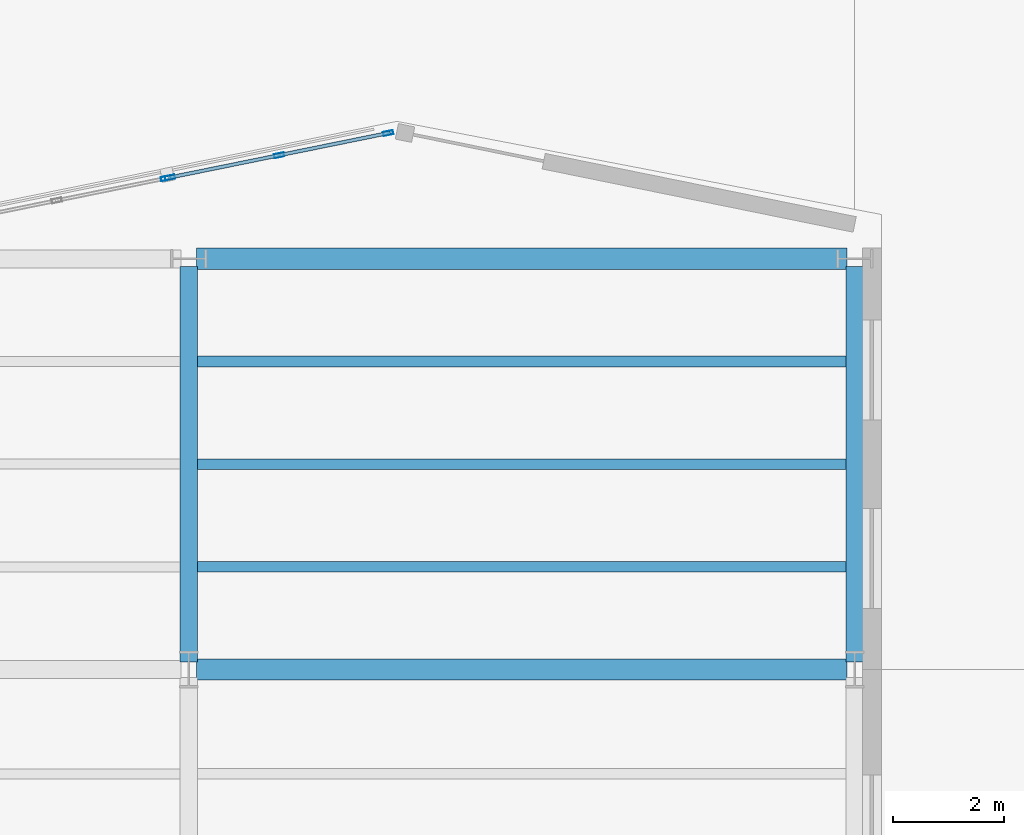
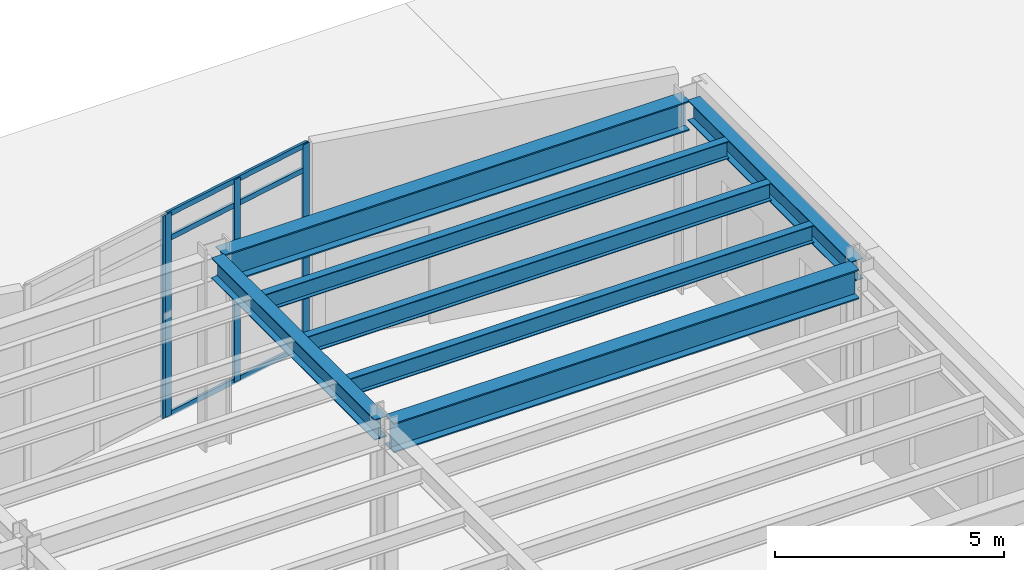
# One storey, part 59 of 94: 7 beams, 7 members, 2 elements without a shape of their own.
"""IFC4 building model written with IfcOpenShell, lengths in metres."""

from ifc_helpers import new_model, si_unit, direction, frame, origin, origin_2d, place, context, subcontext, project, spatial, hollow_rectangle, i_section, extrude, material, layer, layer_set, material_profile, profile_set, type_object, element, aggregate, save


model = new_model("IFC4")

# Units and contexts
model_context = context("Model", 3, precision=1e-05, world=origin(), true_north=direction((0.0, 1.0)))
body_context = subcontext(model_context, "Body", "Model", "MODEL_VIEW")
ifc_project = project(units=[si_unit("LENGTHUNIT", "METRE"), si_unit("AREAUNIT", "SQUARE_METRE"), si_unit("VOLUMEUNIT", "CUBIC_METRE"), si_unit("PLANEANGLEUNIT", "RADIAN"), si_unit("MASSUNIT", "GRAM", prefix="KILO")], contexts=[model_context])

# Site, building, storey
site_placement = place(None, origin())
site = spatial("IfcSite", under=ifc_project, at=site_placement, CompositionType="ELEMENT")
building_placement = place(site_placement, origin())
building = spatial("IfcBuilding", under=site, at=building_placement, Name="Sollismere Congress Hotel", CompositionType="ELEMENT")
storey_placement = place(building_placement, origin())
storey = spatial("IfcBuildingStorey", under=building, at=storey_placement, Name="L00", CompositionType="ELEMENT", Elevation=0.0)

# Beams
ifc_material_1 = material(Name="Steel ASTM A992 Grade 50", Category="steel")
ifc_material_profile_1 = material_profile(ifc_material_1, i_section(OverallWidth=0.31494140625, OverallDepth=0.551025390625, WebThickness=0.01513671875, FlangeThickness=0.0244140625, at=origin_2d()), Name="W21X122")
ifc_profile_set_1 = profile_set([ifc_material_profile_1], Name="Steel ASTM A992 Grade 50")
beam_type_1 = type_object("IfcBeamType", Name="BM-G21H", PredefinedType="BEAM", material=ifc_profile_set_1)
for number, where, z_axis, x_axis, name in (
    (1, (112.0, 95.139892578125, 4.839599609375), (0.0, 1.0, 0.0), (-1.0, 0.0, 0.0), "Beam BM-L00-1286"),
    (2, (124.0, 95.139892578125, 4.839599609375), (0.0, 1.0, 0.0), (-1.0, 0.0, 0.0), "Beam BM-L00-1296"),
):
    element("IfcBeam", number, at=place(storey_placement, frame(where, z_axis=z_axis, x_axis=x_axis)), inside=storey, type_object=beam_type_1, Name=name, PredefinedType="BEAM", context=body_context, shape_type="SweptSolid", body=[
        extrude(i_section(OverallWidth=0.31494140625, OverallDepth=0.551025390625, WebThickness=0.01513671875, FlangeThickness=0.0244140625, at=origin_2d()), origin(), (0.0, 0.0, 1.0), 7.1201171875),
    ])
ifc_material_profile_2 = material_profile(ifc_material_1, i_section(OverallWidth=0.384033203125, OverallDepth=0.787109375, WebThickness=0.019775390625, FlangeThickness=0.033447265625, at=origin_2d()), Name="W30X211")
ifc_profile_set_2 = profile_set([ifc_material_profile_2], Name="Steel ASTM A992 Grade 50")
beam_type_2 = type_object("IfcBeamType", Name="BM-G30", PredefinedType="BEAM", material=ifc_profile_set_2)
for number, where, z_axis, x_axis, name in (
    (3, (112.139892578125, 95.0, 4.721435546875), (1.0, 0.0, 0.0), (0.0, 1.0, 0.0), "Beam BM-L00-1215"),
    (4, (112.139892578125, 102.39990234375, 4.721435546875), (1.0, 0.0, 0.0), (0.0, 1.0, 0.0), "Beam BM-L00-1222"),
):
    element("IfcBeam", number, at=place(storey_placement, frame(where, z_axis=z_axis, x_axis=x_axis)), inside=storey, type_object=beam_type_2, Name=name, PredefinedType="BEAM", context=body_context, shape_type="SweptSolid", body=[
        extrude(i_section(OverallWidth=0.384033203125, OverallDepth=0.787109375, WebThickness=0.019775390625, FlangeThickness=0.033447265625, at=origin_2d()), origin(), (0.0, 0.0, 1.0), 11.72021484375),
    ])
ifc_material_profile_3 = material_profile(ifc_material_1, i_section(OverallWidth=0.193115234375, OverallDepth=0.467041015625, WebThickness=0.011474609375, FlangeThickness=0.01904296875, at=origin_2d()), Name="W18X65")
ifc_profile_set_3 = profile_set([ifc_material_profile_3], Name="Steel ASTM A992 Grade 50")
beam_type_3 = type_object("IfcBeamType", Name="BM-J18", PredefinedType="JOIST", material=ifc_profile_set_3)
for number, where, z_axis, x_axis, name in (
    (5, (112.157470703125, 96.85009765625, 4.881591796875), (1.0, 0.0, 0.0), (0.0, 1.0, 0.0), "Beam BM-L00-1462"),
    (6, (112.157470703125, 98.699951171875, 4.881591796875), (1.0, 0.0, 0.0), (0.0, 1.0, 0.0), "Beam BM-L00-1463"),
    (7, (112.157470703125, 100.550048828125, 4.881591796875), (1.0, 0.0, 0.0), (0.0, 1.0, 0.0), "Beam BM-L00-1464"),
):
    element("IfcBeam", number, at=place(storey_placement, frame(where, z_axis=z_axis, x_axis=x_axis)), inside=storey, type_object=beam_type_3, Name=name, PredefinedType="JOIST", context=body_context, shape_type="SweptSolid", body=[
        extrude(i_section(OverallWidth=0.193115234375, OverallDepth=0.467041015625, WebThickness=0.011474609375, FlangeThickness=0.01904296875, at=origin_2d()), origin(), (0.0, 0.0, 1.0), 11.68505859375),
    ])

# Curtain wall, member
ifc_material_2 = material(Name="Anodized Bronze Curtain Wall & Low-E Triple Glazing", Category="glass")
ifc_layer = layer(ifc_material_2, 0.199951171875, Name="Anodized Bronze Curtain Wall & Low-E Triple Glazing")
ifc_layer_set = layer_set([ifc_layer], Name="Anodized Bronze Curtain Wall & Low-E Triple Glazing")
curtain_wall_type = type_object("IfcCurtainWallType", Name="CW-GLZ36", PredefinedType="USERDEFINED", material=ifc_layer_set)
curtain_wall_1_placement = place(storey_placement, origin())
curtain_wall_1 = element("IfcCurtainWall", 8, at=curtain_wall_1_placement, inside=storey, type_object=curtain_wall_type, Name="Unitised curtain wall CW-L00-071", ObjectType="UNITISED CURTAIN WALL", PredefinedType="USERDEFINED")
ifc_material_3 = material(Name="Anodized Aluminum 6063-T6", Category="aluminium")
ifc_material_profile_4 = material_profile(ifc_material_3, hollow_rectangle(XDim=0.074951171875, YDim=0.179931640625, WallThickness=0.0048828125, at=origin_2d()), Name="ALU180X75X5")
ifc_profile_set_4 = profile_set([ifc_material_profile_4], Name="Anodized Aluminum 6063-T6")
member_type_1 = type_object("IfcMemberType", Name="ML-CW180", PredefinedType="MULLION", material=ifc_profile_set_4)
member_1_placement = place(storey_placement, frame((111.587890625, 103.851806640625, 0.0), z_axis=(0.0, 0.0, 1.0), x_axis=(-0.199367934417, 0.979924704621, 0.0)))
member_1 = element("IfcMember", 9, at=member_1_placement, type_object=member_type_1, Name="CWL-CW-L00-071-ML03", PredefinedType="MULLION", context=body_context, shape_type="SweptSolid", body=[
    extrude(hollow_rectangle(XDim=0.074951171875, YDim=0.179931640625, WallThickness=0.0048828125, at=origin_2d()), origin(), (0.0, 0.0, 1.0), 5.39990234375),
])
aggregate(curtain_wall_1, [member_1])

# Curtain wall, members
curtain_wall_2_placement = place(storey_placement, origin())
curtain_wall_2 = element("IfcCurtainWall", 10, at=curtain_wall_2_placement, inside=storey, type_object=curtain_wall_type, Name="Unitised curtain wall CW-L00-072", ObjectType="UNITISED CURTAIN WALL", PredefinedType="USERDEFINED")
member_2_placement = place(storey_placement, frame((111.662109375, 103.86669921875, 0.0), z_axis=(0.0, 0.0, 1.0), x_axis=(-0.199367934417, 0.979924704621, 0.0)))
member_2 = element("IfcMember", 11, at=member_2_placement, type_object=member_type_1, Name="CWL-CW-L00-072-ML01", PredefinedType="MULLION", context=body_context, shape_type="SweptSolid", body=[
    extrude(hollow_rectangle(XDim=0.074951171875, YDim=0.179931640625, WallThickness=0.0048828125, at=origin_2d()), origin(), (0.0, 0.0, 1.0), 5.39990234375),
])
member_3_placement = place(storey_placement, frame((113.628662109375, 104.266845703125, 0.0), z_axis=(0.0, 0.0, 1.0), x_axis=(-0.199367934417, 0.979924704621, 0.0)))
member_3 = element("IfcMember", 12, at=member_3_placement, type_object=member_type_1, Name="CWL-CW-L00-072-ML02", PredefinedType="MULLION", context=body_context, shape_type="SweptSolid", body=[
    extrude(hollow_rectangle(XDim=0.074951171875, YDim=0.179931640625, WallThickness=0.0048828125, at=origin_2d()), origin(), (0.0, 0.0, 1.0), 5.39990234375),
])
member_4_placement = place(storey_placement, frame((115.59521484375, 104.6669921875, 0.0), z_axis=(0.0, 0.0, 1.0), x_axis=(-0.199367934417, 0.979924704621, 0.0)))
member_4 = element("IfcMember", 13, at=member_4_placement, type_object=member_type_1, Name="CWL-CW-L00-072-ML03", PredefinedType="MULLION", context=body_context, shape_type="SweptSolid", body=[
    extrude(hollow_rectangle(XDim=0.074951171875, YDim=0.179931640625, WallThickness=0.0048828125, at=origin_2d()), origin(), (0.0, 0.0, 1.0), 5.39990234375),
])
ifc_material_profile_5 = material_profile(ifc_material_3, hollow_rectangle(XDim=0.06494140625, YDim=0.139892578125, WallThickness=0.00390625, at=origin_2d()), Name="ALU140X65X4")
ifc_profile_set_5 = profile_set([ifc_material_profile_5], Name="Anodized Aluminum 6063-T6")
member_type_2 = type_object("IfcMemberType", Name="TR-CW150", PredefinedType="MEMBER", material=ifc_profile_set_5)
member_5_placement = place(storey_placement, frame((111.625, 103.859375, 0.032470703125), z_axis=(0.979930139944, 0.199341217087, 0.0), x_axis=(-0.199341217087, 0.979930139944, 0.0)))
member_5 = element("IfcMember", 14, at=member_5_placement, type_object=member_type_2, Name="CWL-CW-L00-072-TR1", PredefinedType="MEMBER", context=body_context, shape_type="SweptSolid", body=[
    extrude(hollow_rectangle(XDim=0.06494140625, YDim=0.139892578125, WallThickness=0.00390625, at=origin_2d()), origin(), (0.0, 0.0, 1.0), 4.08935546875),
])
member_6_placement = place(storey_placement, frame((111.625, 103.859375, 4.719970703125), z_axis=(0.979930139944, 0.199341217087, 0.0), x_axis=(-0.199341217087, 0.979930139944, 0.0)))
member_6 = element("IfcMember", 15, at=member_6_placement, type_object=member_type_2, Name="CWL-CW-L00-072-TR2", PredefinedType="MEMBER", context=body_context, shape_type="SweptSolid", body=[
    extrude(hollow_rectangle(XDim=0.06494140625, YDim=0.139892578125, WallThickness=0.00390625, at=origin_2d()), origin(), (0.0, 0.0, 1.0), 4.08935546875),
])
member_7_placement = place(storey_placement, frame((111.625, 103.859375, 5.367431640625), z_axis=(0.979930139944, 0.199341217087, 0.0), x_axis=(-0.199341217087, 0.979930139944, 0.0)))
member_7 = element("IfcMember", 16, at=member_7_placement, type_object=member_type_2, Name="CWL-CW-L00-072-TR3", PredefinedType="MEMBER", context=body_context, shape_type="SweptSolid", body=[
    extrude(hollow_rectangle(XDim=0.06494140625, YDim=0.139892578125, WallThickness=0.00390625, at=origin_2d()), origin(), (0.0, 0.0, 1.0), 4.08935546875),
])
aggregate(curtain_wall_2, [member_2, member_3, member_4, member_5, member_6, member_7])

save(model, "model.ifc")
